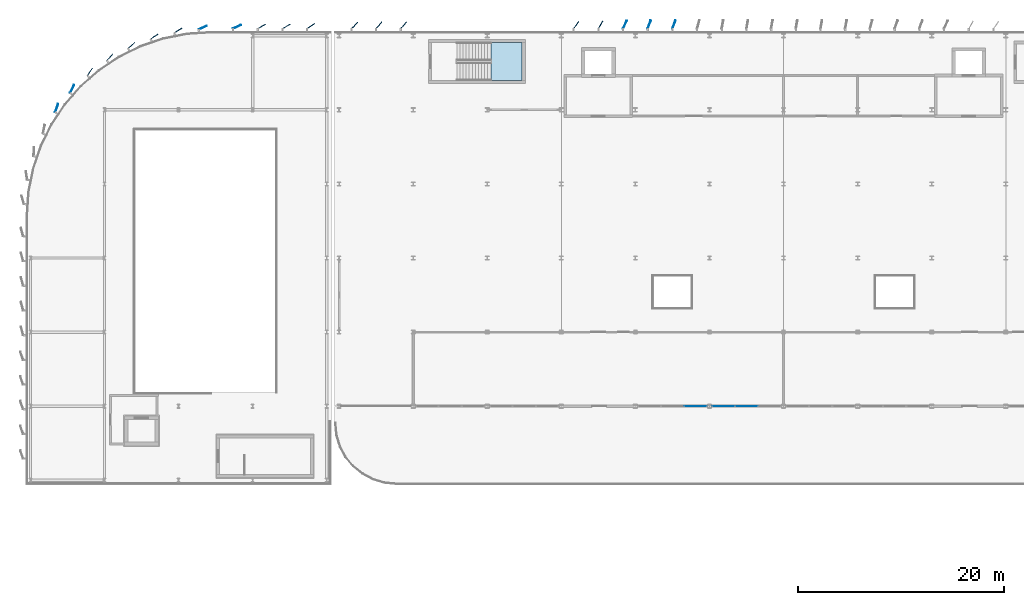
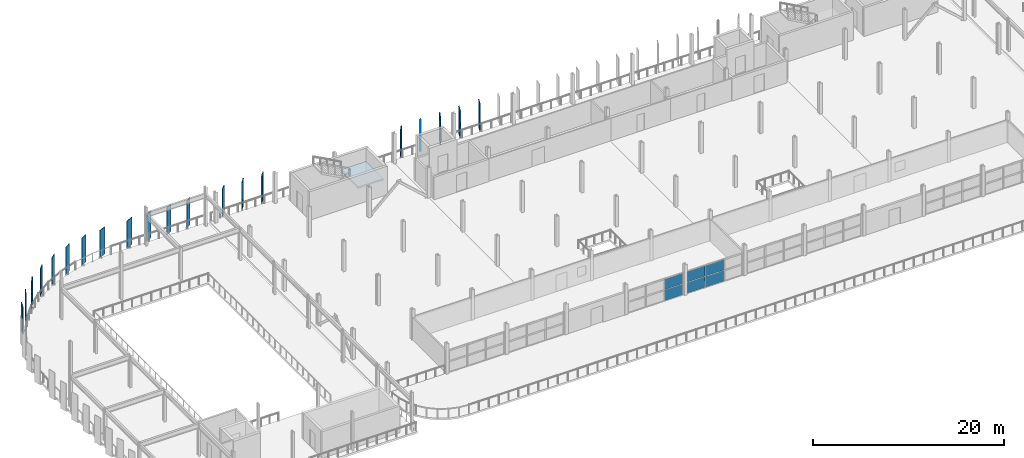
# One storey, part 22 of 40: 26 plates, 1 slab, 3 elements without a shape of their own.
"""IFC4 building model written with IfcOpenShell, lengths in metres."""

from ifc_helpers import new_model, si_unit, direction, frame, origin, origin_2d, place, context, subcontext, project, spatial, polyline, rectangle, outline, extrude, material, layer, layer_set, type_object, element, aggregate, save


model = new_model("IFC4")

# Units and contexts
model_context = context("Model", 3, precision=1e-05, world=origin(), true_north=direction((0.0, 1.0)))
body_context = subcontext(model_context, "Body", "Model", "MODEL_VIEW")
ifc_project = project(units=[si_unit("LENGTHUNIT", "METRE"), si_unit("AREAUNIT", "SQUARE_METRE"), si_unit("VOLUMEUNIT", "CUBIC_METRE"), si_unit("PLANEANGLEUNIT", "RADIAN"), si_unit("MASSUNIT", "GRAM", prefix="KILO")], contexts=[model_context])

# Site, building, storey
site_placement = place(None, origin())
site = spatial("IfcSite", under=ifc_project, at=site_placement, CompositionType="ELEMENT")
building_placement = place(site_placement, origin())
building = spatial("IfcBuilding", under=site, at=building_placement, Name="Vaelcorin Mobility Hub", CompositionType="ELEMENT")
storey_placement = place(building_placement, frame((0.0, 0.0, 17.10009765625)))
storey = spatial("IfcBuildingStorey", under=building, at=storey_placement, Name="L04", CompositionType="ELEMENT", Elevation=17.10009765625)

# Curtain wall, plates
ifc_material_1 = material(Name="Anodised aluminium 6063-T6", Category="aluminium")
curtain_wall_type = type_object("IfcCurtainWallType", Name="CW-MOB-A", PredefinedType="NOTDEFINED", material=ifc_material_1)
curtain_wall_1_placement = place(storey_placement, origin())
curtain_wall_1 = element("IfcCurtainWall", 1, at=curtain_wall_1_placement, inside=storey, type_object=curtain_wall_type, Name="L04 Curtain Wall CW-V4-L04-S-05", PredefinedType="NOTDEFINED")
ifc_material_2 = material(Name="Low-E solar-control insulated glazing", Category="glass")
ifc_layer_1 = layer(ifc_material_2, 0.028076171875)
ifc_layer_set_1 = layer_set([ifc_layer_1], Name="Low-E solar-control insulated glazing")
plate_type_1 = type_object("IfcPlateType", Name="CW-PAN-GLZ28", PredefinedType="CURTAIN_PANEL", material=ifc_layer_set_1)
plate_1_placement = place(storey_placement, frame((70.638427734375, 84.0, 0.06005859375), z_axis=(0.0, 0.0, 1.0), x_axis=(-1.0, 0.0, 0.0)))
plate_1 = element("IfcPlate", 2, at=plate_1_placement, type_object=plate_type_1, Name="CW7 panel 1.1", PredefinedType="CURTAIN_PANEL", context=body_context, shape_type="SweptSolid", body=[
    extrude(rectangle(XDim=2.163330078125, YDim=0.028076171875, at=origin_2d()), origin(), (0.0, 0.0, 1.0), 1.343994140625),
])
plate_2_placement = place(storey_placement, frame((70.638427734375, 84.0, 1.4638671875), z_axis=(0.0, 0.0, 1.0), x_axis=(-1.0, 0.0, 0.0)))
plate_2 = element("IfcPlate", 3, at=plate_2_placement, type_object=plate_type_1, Name="CW7 panel 1.2", PredefinedType="CURTAIN_PANEL", context=body_context, shape_type="SweptSolid", body=[
    extrude(rectangle(XDim=2.163330078125, YDim=0.028076171875, at=origin_2d()), origin(), (0.0, 0.0, 1.0), 1.343994140625),
])
aggregate(curtain_wall_1, [plate_1, plate_2])

curtain_wall_2_placement = place(storey_placement, origin())
curtain_wall_2 = element("IfcCurtainWall", 4, at=curtain_wall_2_placement, inside=storey, type_object=curtain_wall_type, Name="L04 Curtain Wall CW-V4-L04-S-06", PredefinedType="NOTDEFINED")
plate_3_placement = place(storey_placement, frame((75.60009765625, 84.0, 0.06005859375), z_axis=(0.0, 0.0, 1.0), x_axis=(-1.0, 0.0, 0.0)))
plate_3 = element("IfcPlate", 5, at=plate_3_placement, type_object=plate_type_1, Name="CW7 panel 2.1", PredefinedType="CURTAIN_PANEL", context=body_context, shape_type="SweptSolid", body=[
    extrude(rectangle(XDim=2.193359375, YDim=0.028076171875, at=origin_2d()), origin(), (0.0, 0.0, 1.0), 1.343994140625),
])
plate_4_placement = place(storey_placement, frame((75.60009765625, 84.0, 1.4638671875), z_axis=(0.0, 0.0, 1.0), x_axis=(-1.0, 0.0, 0.0)))
plate_4 = element("IfcPlate", 6, at=plate_4_placement, type_object=plate_type_1, Name="CW7 panel 2.2", PredefinedType="CURTAIN_PANEL", context=body_context, shape_type="SweptSolid", body=[
    extrude(rectangle(XDim=2.193359375, YDim=0.028076171875, at=origin_2d()), origin(), (0.0, 0.0, 1.0), 1.343994140625),
])
plate_5_placement = place(storey_placement, frame((73.361572265625, 84.0, 0.06005859375), z_axis=(0.0, 0.0, 1.0), x_axis=(-1.0, 0.0, 0.0)))
plate_5 = element("IfcPlate", 7, at=plate_5_placement, type_object=plate_type_1, Name="CW7 panel 3.1", PredefinedType="CURTAIN_PANEL", context=body_context, shape_type="SweptSolid", body=[
    extrude(rectangle(XDim=2.163330078125, YDim=0.028076171875, at=origin_2d()), origin(), (0.0, 0.0, 1.0), 1.343994140625),
])
plate_6_placement = place(storey_placement, frame((73.361572265625, 84.0, 1.4638671875), z_axis=(0.0, 0.0, 1.0), x_axis=(-1.0, 0.0, 0.0)))
plate_6 = element("IfcPlate", 8, at=plate_6_placement, type_object=plate_type_1, Name="CW7 panel 3.2", PredefinedType="CURTAIN_PANEL", context=body_context, shape_type="SweptSolid", body=[
    extrude(rectangle(XDim=2.163330078125, YDim=0.028076171875, at=origin_2d()), origin(), (0.0, 0.0, 1.0), 1.343994140625),
])
aggregate(curtain_wall_2, [plate_3, plate_4, plate_5, plate_6])

# Plates
ifc_material_3 = material(Name="Perforated terracotta-bronze aluminium aerofoil", Category="masonry")
ifc_layer_2 = layer(ifc_material_3, 0.06005859375)
ifc_layer_set_2 = layer_set([ifc_layer_2], Name="Perforated terracotta-bronze aluminium aerofoil")
plate_type_2 = type_object("IfcPlateType", Name="PL-FIN-AF1", PredefinedType="SHEET", material=ifc_layer_set_2)
for number, where, z_axis, x_axis, name in (
    (9, (26.0849609375, 120.8701171875, -0.16015625), (0.0, 0.0, 1.0), (0.906307787037, 0.422618261741, 0.0), "Rotating Terracotta-Bronze Aerofoil Fin FIN-V2W-L04-N-AF-01"),
    (10, (28.468017578125, 120.902099609375, -0.16015625), (0.0, 0.0, 1.0), (0.866025403784, 0.5, 0.0), "Rotating Terracotta-Bronze Aerofoil Fin FIN-V2W-L04-N-AF-02"),
    (11, (30.867919921875, 120.902099609375, -0.16015625), (0.0, 0.0, 1.0), (0.866025403784, 0.5, 0.0), "Rotating Terracotta-Bronze Aerofoil Fin FIN-V2W-L04-N-AF-03"),
    (12, (33.248046875, 120.93408203125, -0.16015625), (0.0, 0.0, 1.0), (0.819152044289, 0.573576436351, 0.0), "Rotating Terracotta-Bronze Aerofoil Fin FIN-V2W-L04-N-AF-04"),
    (13, (22.7490234375, 120.783935546875, -0.16015625), (0.0, 0.0, 1.0), (0.915304449724, 0.402762664996, 0.0), "Rotating Terracotta-Bronze Aerofoil Fin FIN-V2W-L04-ARC-01"),
    (14, (20.363037109375, 120.52197265625, -0.16015625), (0.0, 0.0, 1.0), (0.855020503539, 0.51859419446, 0.0), "Rotating Terracotta-Bronze Aerofoil Fin FIN-V2W-L04-ARC-02"),
    (15, (18.052978515625, 119.922119140625, -0.16015625), (0.0, 0.0, 1.0), (0.831392031959, 0.555686322663, 0.0), "Rotating Terracotta-Bronze Aerofoil Fin FIN-V2W-L04-ARC-03"),
    (16, (15.819091796875, 119.054931640625, -0.16015625), (0.0, 0.0, 1.0), (0.751724718475, 0.659477025858, 0.0), "Rotating Terracotta-Bronze Aerofoil Fin FIN-V2W-L04-ARC-04"),
    (17, (13.718017578125, 117.903076171875, -0.16015625), (0.0, 0.0, 1.0), (0.659424543965, 0.751770756824, 0.0), "Rotating Terracotta-Bronze Aerofoil Fin FIN-V2W-L04-ARC-05"),
    (18, (11.784912109375, 116.488037109375, -0.16015625), (0.0, 0.0, 1.0), (0.555642790316, 0.831421126488, 0.0), "Rotating Terracotta-Bronze Aerofoil Fin FIN-V2W-L04-ARC-06"),
    (19, (10.052978515625, 114.83203125, -0.16015625), (0.0, 0.0, 1.0), (0.442210421623, 0.896911335087, 0.0), "Rotating Terracotta-Bronze Aerofoil Fin FIN-V2W-L04-ARC-07"),
    (20, (8.552978515625, 112.965087890625, -0.16015625), (0.0, 0.0, 1.0), (0.32134030125, 0.946963785365, 0.0), "Rotating Terracotta-Bronze Aerofoil Fin FIN-V2W-L04-ARC-08"),
):
    element("IfcPlate", number, at=place(storey_placement, frame(where, z_axis=z_axis, x_axis=x_axis)), inside=storey, type_object=plate_type_2, Name=name, PredefinedType="SHEET", context=body_context, shape_type="SweptSolid", body=[
        extrude(rectangle(XDim=0.85009765625, YDim=0.06005859375, at=origin_2d()), origin(), (0.0, 0.0, 1.0), 3.5),
    ])
ifc_layer_3 = layer(ifc_material_3, 0.070068359375)
ifc_layer_set_3 = layer_set([ifc_layer_3], Name="Perforated terracotta-bronze aluminium aerofoil")
plate_type_3 = type_object("IfcPlateType", Name="PL-FIN-AF3", PredefinedType="SHEET", material=ifc_layer_set_3)
for number, where, z_axis, x_axis, name in (
    (21, (37.5009765625, 120.990966796875, -0.16015625), (0.0, 0.0, 1.0), (0.707106781187, 0.707106781187, 0.0), "Rotating Terracotta-Bronze Aerofoil Fin FIN-V4-L04-N-01-AF-01"),
    (22, (39.873046875, 121.01611328125, -0.16015625), (0.0, 0.0, 1.0), (0.642787609687, 0.766044443119, 0.0), "Rotating Terracotta-Bronze Aerofoil Fin FIN-V4-L04-N-01-AF-02"),
    (23, (42.27294921875, 121.01611328125, -0.16015625), (0.0, 0.0, 1.0), (0.642787609687, 0.766044443119, 0.0), "Rotating Terracotta-Bronze Aerofoil Fin FIN-V4-L04-N-01-AF-03"),
    (24, (59.0439453125, 121.0380859375, -0.16015625), (0.0, 0.0, 1.0), (0.573576436351, 0.819152044289, 0.0), "Rotating Terracotta-Bronze Aerofoil Fin FIN-V4-L04-N-04-AF-01"),
    (25, (61.412109375, 121.05810546875, -0.16015625), (0.0, 0.0, 1.0), (0.5, 0.866025403784, 0.0), "Rotating Terracotta-Bronze Aerofoil Fin FIN-V4-L04-N-04-AF-02"),
    (26, (63.780029296875, 121.074951171875, -0.16015625), (0.0, 0.0, 1.0), (0.422618261741, 0.906307787037, 0.0), "Rotating Terracotta-Bronze Aerofoil Fin FIN-V4-L04-N-04-AF-03"),
    (27, (66.14501953125, 121.089111328125, -0.16015625), (0.0, 0.0, 1.0), (0.342020143326, 0.939692620786, 0.0), "Rotating Terracotta-Bronze Aerofoil Fin FIN-V4-L04-N-05-AF-01"),
    (28, (68.544921875, 121.089111328125, -0.16015625), (0.0, 0.0, 1.0), (0.342020143326, 0.939692620786, 0.0), "Rotating Terracotta-Bronze Aerofoil Fin FIN-V4-L04-N-05-AF-02"),
):
    element("IfcPlate", number, at=place(storey_placement, frame(where, z_axis=z_axis, x_axis=x_axis)), inside=storey, type_object=plate_type_3, Name=name, PredefinedType="SHEET", context=body_context, shape_type="SweptSolid", body=[
        extrude(rectangle(XDim=0.85009765625, YDim=0.070068359375, at=origin_2d()), origin(), (0.0, 0.0, 1.0), 3.5),
    ])

# Stair, slab
ifc_material_4 = material(Name="Reinforced concrete f'c 45 MPa", Category="concrete")
stair_type = type_object("IfcStairType", Name="STAIR-ST3", PredefinedType="HALF_TURN_STAIR", material=ifc_material_4)
stair_placement = place(storey_placement, origin())
stair = element("IfcStair", 29, at=stair_placement, inside=storey, type_object=stair_type, Name="L04 Protected Exit Stair ST3", PredefinedType="HALF_TURN_STAIR")
ifc_layer_4 = layer(ifc_material_4, 0.199951171875)
ifc_layer_set_4 = layer_set([ifc_layer_4], Name="Reinforced concrete f'c 45 MPa")
slab_type = type_object("IfcSlabType", Name="SLAB-LND-200", PredefinedType="LANDING", material=ifc_layer_set_4)
slab_placement = place(storey_placement, frame((0.0, 0.0, 1.75)))
slab = element("IfcSlab", 30, at=slab_placement, type_object=slab_type, Name="ST3 landing 1", PredefinedType="LANDING", context=body_context, shape_type="SweptSolid", body=[
    extrude(outline(polyline([(50.75, 115.64990234375), (53.800048828125, 115.64990234375), (53.800048828125, 119.330078125), (50.75, 119.330078125), (50.75, 115.64990234375)])), origin(), (0.0, 0.0, 1.0), 0.199951171875),
])
aggregate(stair, [slab])

save(model, "model.ifc")
